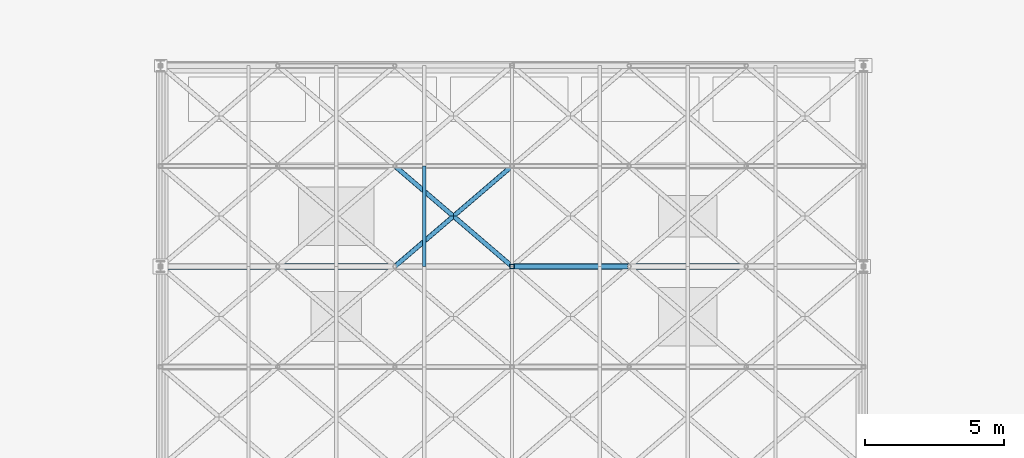
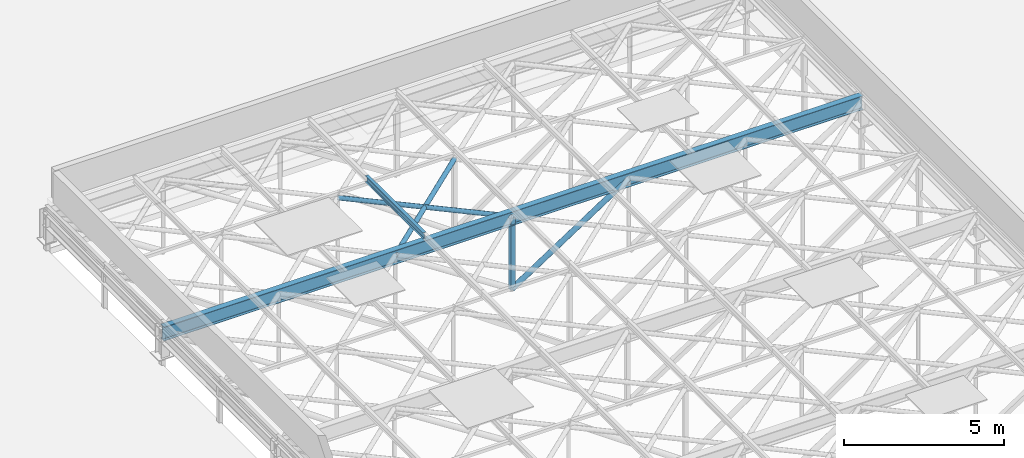
# One storey, part 22 of 45: 5 members, 1 beam.
"""IFC4 building model written with IfcOpenShell, lengths in metres."""

from ifc_helpers import new_model, si_unit, derived_unit, direction, frame, origin, origin_2d, place, context, subcontext, project, spatial, hollow_rectangle, hollow_circle, i_section, extrude, material, material_profile, profile_set, type_object, element, save


model = new_model("IFC4")

# Units and contexts
model_context = context("Model", 3, precision=1e-05, world=origin(), true_north=direction((0.0, 1.0)))
body_context = subcontext(model_context, "Body", "Model", "MODEL_VIEW")
ifc_project = project(units=[si_unit("LENGTHUNIT", "METRE"), si_unit("AREAUNIT", "SQUARE_METRE"), si_unit("VOLUMEUNIT", "CUBIC_METRE"), si_unit("PLANEANGLEUNIT", "RADIAN"), si_unit("MASSUNIT", "GRAM", prefix="KILO"), derived_unit("THERMALTRANSMITTANCEUNIT", [(si_unit("MASSUNIT", "GRAM", prefix="KILO"), 1), (si_unit("TIMEUNIT", "SECOND"), -3), (si_unit("THERMODYNAMICTEMPERATUREUNIT", "KELVIN"), -1)])], contexts=[model_context])

# Site, building, storey
site_placement = place(None, origin())
site = spatial("IfcSite", under=ifc_project, at=site_placement, CompositionType="ELEMENT")
building_placement = place(site_placement, origin())
building = spatial("IfcBuilding", under=site, at=building_placement, Name="Veldstrom Oceanarium and Marine Research Institute", CompositionType="ELEMENT")
storey_placement = place(building_placement, frame((0.0, 0.0, 22.199951171875)))
storey = spatial("IfcBuildingStorey", under=building, at=storey_placement, Name="L04", CompositionType="ELEMENT", Elevation=22.199951171875)

# Beam
ifc_material_1 = material(Name="Steel S355JR", Category="steel")
ifc_material_profile_1 = material_profile(ifc_material_1, i_section(OverallWidth=0.209228515625, OverallDepth=0.533203125, WebThickness=0.010009765625, FlangeThickness=0.015625, FilletRadius=0.0126953125, at=origin_2d()), Name="UB 533x210x92")
ifc_profile_set_1 = profile_set([ifc_material_profile_1], Name="Steel S355JR")
beam_type = type_object("IfcBeamType", Name="STR-BM-SB2", PredefinedType="BEAM", material=ifc_profile_set_1)
beam_placement = place(storey_placement, frame((16.800048828125, 50.39990234375, 0.843505859375), z_axis=(1.0, 0.0, 0.0), x_axis=(0.0, 1.0, 0.0)))
element("IfcBeam", 1, at=beam_placement, inside=storey, type_object=beam_type, Name="Aquarium Roof Truss Top-Chord Girder RT11", PredefinedType="BEAM", context=body_context, shape_type="SweptSolid", body=[
    extrude(i_section(OverallWidth=0.209228515625, OverallDepth=0.533203125, WebThickness=0.010009765625, FlangeThickness=0.015625, FilletRadius=0.0126953125, at=origin_2d()), origin(), (0.0, 0.0, 1.0), 25.199951171875),
])

# Members
ifc_material_2 = material(Name="Steel S355JR", Category="steel")
ifc_material_profile_2 = material_profile(ifc_material_2, hollow_circle(Radius=0.096923828125, WallThickness=0.010009765625, at=origin_2d()), Name="CHS 193.7x10")
ifc_profile_set_2 = profile_set([ifc_material_profile_2], Name="Steel S355JR")
member_type_1 = type_object("IfcMemberType", Name="STR-MEM-BR2", PredefinedType="BRACE", material=ifc_profile_set_2)
member_1_placement = place(storey_placement, frame((29.39990234375, 50.39990234375, -1.89990234375), z_axis=(0.837231854683, 0.0, 0.546848078998), x_axis=(0.0, 1.0, 0.0)))
element("IfcMember", 2, at=member_1_placement, inside=storey, type_object=member_type_1, Name="Truss Web Diagonal RT11-4", PredefinedType="BRACE", context=body_context, shape_type="SweptSolid", body=[
    extrude(hollow_circle(Radius=0.096923828125, WallThickness=0.010009765625, at=origin_2d()), origin(), (0.0, 0.0, 1.0), 5.016845703125),
])
ifc_material_3 = material(Name="Steel S355JR", Category="steel")
ifc_material_profile_3 = material_profile(ifc_material_3, hollow_circle(Radius=0.084228515625, WallThickness=0.008056640625, at=origin_2d()), Name="CHS 168.3x8")
ifc_profile_set_3 = profile_set([ifc_material_profile_3], Name="Steel S355JR")
member_type_2 = type_object("IfcMemberType", Name="STR-MEM-BR3", PredefinedType="BRACE", material=ifc_profile_set_3)
for number, where, z_axis, x_axis, name in (
    (3, (25.199951171875, 50.39990234375, 0.860107421875), (0.759244140748, 0.650805911728, 0.0), (-0.650805911728, 0.759244140748, 0.0), "Roof Plan Wind Brace WB-11-3"),
    (4, (29.39990234375, 50.39990234375, 0.860107421875), (-0.759244140748, 0.650805911728, 0.0), (-0.650805911728, -0.759244140748, 0.0), "Roof Plan Counter Wind Brace WB-11-3B"),
):
    element("IfcMember", number, at=place(storey_placement, frame(where, z_axis=z_axis, x_axis=x_axis)), inside=storey, type_object=member_type_2, Name=name, PredefinedType="BRACE", context=body_context, shape_type="SweptSolid", body=[
        extrude(hollow_circle(Radius=0.084228515625, WallThickness=0.008056640625, at=origin_2d()), origin(), (0.0, 0.0, 1.0), 5.53173828125),
    ])
ifc_material_4 = material(Name="Steel S355JR", Category="steel")
ifc_material_profile_4 = material_profile(ifc_material_4, i_section(OverallWidth=0.1201171875, OverallDepth=0.239990234375, WebThickness=0.006103515625, FlangeThickness=0.009765625, FilletRadius=0.014892578125, at=origin_2d()), Name="IPE 240")
ifc_profile_set_4 = profile_set([ifc_material_profile_4], Name="Steel S355JR")
member_type_3 = type_object("IfcMemberType", Name="STR-MEM-PR1", PredefinedType="PURLIN", material=ifc_profile_set_4)
member_2_placement = place(storey_placement, frame((26.25, 50.39990234375, 1.22998046875), z_axis=(0.0, 1.0, 0.0), x_axis=(-1.0, 0.0, 0.0)))
element("IfcMember", 5, at=member_2_placement, inside=storey, type_object=member_type_3, Name="Hall Roof Purlin PR-12-4", PredefinedType="PURLIN", context=body_context, shape_type="SweptSolid", body=[
    extrude(i_section(OverallWidth=0.1201171875, OverallDepth=0.239990234375, WebThickness=0.006103515625, FlangeThickness=0.009765625, FilletRadius=0.014892578125, at=origin_2d()), origin(), (0.0, 0.0, 1.0), 3.60009765625),
])
ifc_material_5 = material(Name="Steel S355JR", Category="steel")
ifc_material_profile_5 = material_profile(ifc_material_5, hollow_rectangle(XDim=0.14990234375, YDim=0.14990234375, WallThickness=0.010009765625, at=origin_2d()), Name="SHS 150x150x10")
ifc_profile_set_5 = profile_set([ifc_material_profile_5], Name="Steel S355JR")
member_type_4 = type_object("IfcMemberType", Name="STR-MEM-PS1", PredefinedType="POST", material=ifc_profile_set_5)
member_3_placement = place(storey_placement, frame((29.39990234375, 50.39990234375, -1.89990234375), z_axis=(0.0, 0.0, 1.0), x_axis=(1.0, 0.0, 0.0)))
element("IfcMember", 6, at=member_3_placement, inside=storey, type_object=member_type_4, Name="Truss Vertical Post RT11-4", PredefinedType="POST", context=body_context, shape_type="SweptSolid", body=[
    extrude(hollow_rectangle(XDim=0.14990234375, YDim=0.14990234375, WallThickness=0.010009765625, at=origin_2d()), origin(), (0.0, 0.0, 1.0), 2.743408203125),
])

save(model, "model.ifc")
